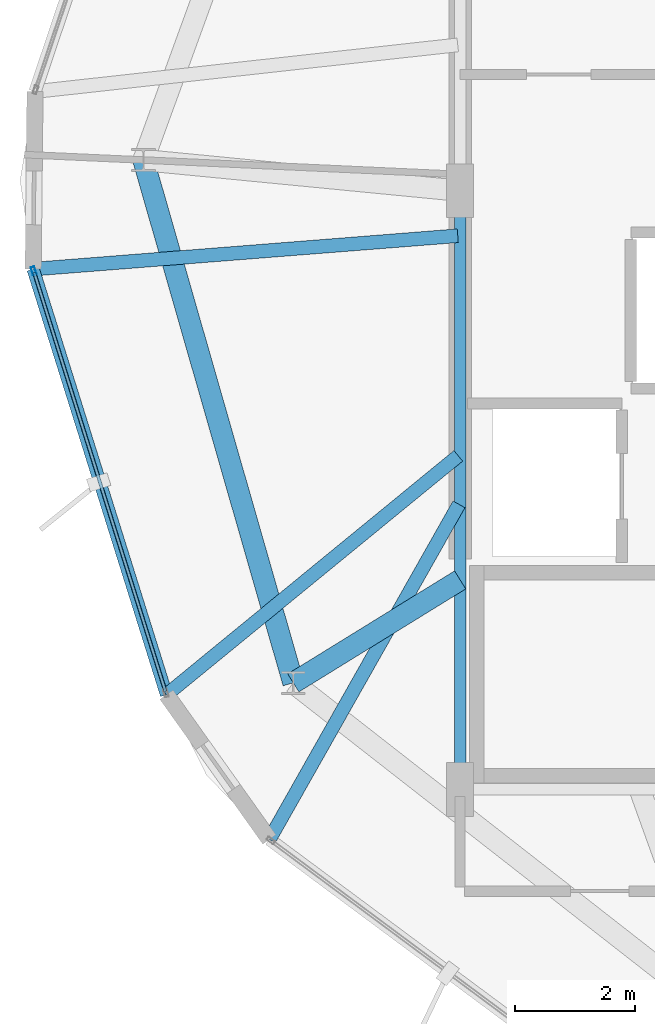
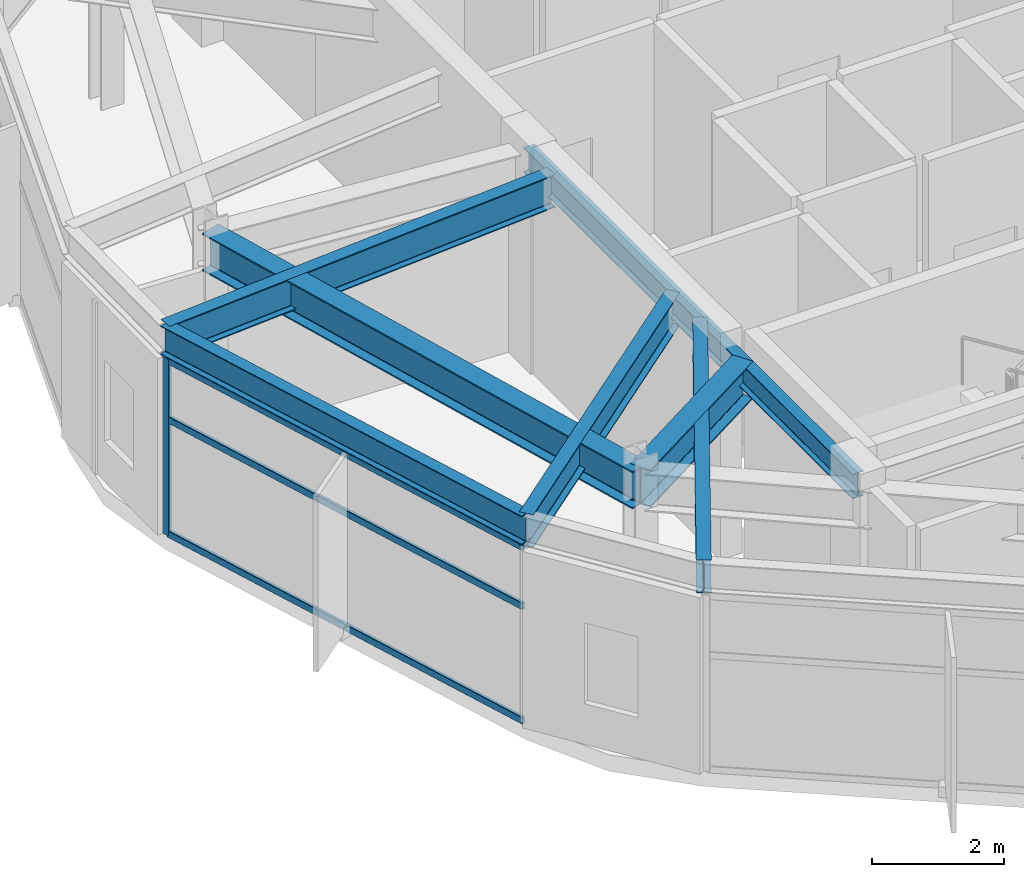
# One storey, part 3 of 19: 7 beams, 4 members, 1 element without a shape of its own.
"""IFC4 building model written with IfcOpenShell, lengths in metres."""

from ifc_helpers import new_model, si_unit, direction, frame, origin, origin_2d, place, context, subcontext, project, spatial, hollow_rectangle, i_section, extrude, material, layer, layer_set, material_profile, profile_set, type_object, element, aggregate, save


model = new_model("IFC4")

# Units and contexts
model_context = context("Model", 3, precision=1e-05, world=origin(), true_north=direction((0.0, 1.0)))
body_context = subcontext(model_context, "Body", "Model", "MODEL_VIEW")
ifc_project = project(units=[si_unit("LENGTHUNIT", "METRE"), si_unit("AREAUNIT", "SQUARE_METRE"), si_unit("VOLUMEUNIT", "CUBIC_METRE"), si_unit("PLANEANGLEUNIT", "RADIAN"), si_unit("MASSUNIT", "GRAM", prefix="KILO")], contexts=[model_context])

# Site, building, storey
site_placement = place(None, origin())
site = spatial("IfcSite", under=ifc_project, at=site_placement, CompositionType="ELEMENT")
building_placement = place(site_placement, origin())
building = spatial("IfcBuilding", under=site, at=building_placement, Name="Soratama Intermodal Tower", CompositionType="ELEMENT")
storey_placement = place(building_placement, frame((0.0, 0.0, 297.25)))
storey = spatial("IfcBuildingStorey", under=building, at=storey_placement, Name="L75", CompositionType="ELEMENT", Elevation=297.25)

# Beams
ifc_material_1 = material(Name="Structural steel ASTM A992 Grade 50", Category="steel")
ifc_material_profile_1 = material_profile(ifc_material_1, i_section(OverallWidth=0.19091796875, OverallDepth=0.4599609375, WebThickness=0.010009765625, FlangeThickness=0.01611328125, FilletRadius=0.010986328125, at=origin_2d()), Name="W18X55")
ifc_profile_set_1 = profile_set([ifc_material_profile_1], Name="Structural steel ASTM A992 Grade 50")
beam_type_1 = type_object("IfcBeamType", Name="BM-FLR-W18X55", PredefinedType="BEAM", material=ifc_profile_set_1)
beam_1_placement = place(storey_placement, frame((32.60009765625, 25.0, 3.6650390625), z_axis=(0.0, -1.0, 0.0), x_axis=(1.0, 0.0, 0.0)))
element("IfcBeam", 1, at=beam_1_placement, inside=storey, type_object=beam_type_1, Name="BM-L75-CRING-09", PredefinedType="BEAM", context=body_context, shape_type="SweptSolid", body=[
    extrude(i_section(OverallWidth=0.19091796875, OverallDepth=0.4599609375, WebThickness=0.010009765625, FlangeThickness=0.01611328125, FilletRadius=0.010986328125, at=origin_2d()), origin(), (0.0, 0.0, 1.0), 10.0),
])
ifc_material_2 = material(Name="Structural steel ASTM A992 Grade 50", Category="steel")
ifc_material_profile_2 = material_profile(ifc_material_2, i_section(OverallWidth=0.35498046875, OverallDepth=0.695068359375, WebThickness=0.015380859375, FlangeThickness=0.02490234375, FilletRadius=0.01611328125, at=origin_2d()), Name="W27X146")
ifc_profile_set_2 = profile_set([ifc_material_profile_2], Name="Structural steel ASTM A992 Grade 50")
beam_type_2 = type_object("IfcBeamType", Name="BM-RING-W27X146", PredefinedType="BEAM", material=ifc_profile_set_2)
beam_2_placement = place(storey_placement, frame((27.30908203125, 25.512939453125, 3.547607421875), z_axis=(0.275615442928, -0.961267979088, 0.0), x_axis=(0.961267979088, 0.275615442928, 0.0)))
element("IfcBeam", 2, at=beam_2_placement, inside=storey, type_object=beam_type_2, Name="BM-L75-RING-05", PredefinedType="BEAM", context=body_context, shape_type="SweptSolid", body=[
    extrude(i_section(OverallWidth=0.35498046875, OverallDepth=0.695068359375, WebThickness=0.015380859375, FlangeThickness=0.02490234375, FilletRadius=0.01611328125, at=origin_2d()), origin(), (0.0, 0.0, 1.0), 9.084716796875),
])
beam_3_placement = place(storey_placement, frame((32.60009765625, 18.5, 3.547607421875), z_axis=(-0.850999862817, -0.525165910437, 0.0), x_axis=(0.525165910437, -0.850999862817, 0.0)))
element("IfcBeam", 3, at=beam_3_placement, inside=storey, type_object=beam_type_2, Name="BM-L75-RAD-06", PredefinedType="BEAM", context=body_context, shape_type="SweptSolid", body=[
    extrude(i_section(OverallWidth=0.35498046875, OverallDepth=0.695068359375, WebThickness=0.015380859375, FlangeThickness=0.02490234375, FilletRadius=0.01611328125, at=origin_2d()), origin(), (0.0, 0.0, 1.0), 3.275146484375),
])
ifc_material_3 = material(Name="Structural steel ASTM A992 Grade 50", Category="steel")
ifc_material_profile_3 = material_profile(ifc_material_3, i_section(OverallWidth=0.2099609375, OverallDepth=0.537109375, WebThickness=0.010986328125, FlangeThickness=0.017333984375, FilletRadius=0.012939453125, at=origin_2d()), Name="W21X68")
ifc_profile_set_3 = profile_set([ifc_material_profile_3], Name="Structural steel ASTM A992 Grade 50")
beam_type_3 = type_object("IfcBeamType", Name="BM-SPN-W21X68", PredefinedType="SPANDREL", material=ifc_profile_set_3)
beam_4_placement = place(storey_placement, frame((25.467041015625, 23.69091796875, 3.62646484375), z_axis=(0.29906979492, -0.954231239148, 0.0), x_axis=(0.954231239148, 0.29906979492, 0.0)))
element("IfcBeam", 4, at=beam_4_placement, inside=storey, type_object=beam_type_3, Name="BS-L75-F04", PredefinedType="SPANDREL", context=body_context, shape_type="SweptSolid", body=[
    extrude(i_section(OverallWidth=0.2099609375, OverallDepth=0.537109375, WebThickness=0.010986328125, FlangeThickness=0.017333984375, FilletRadius=0.012939453125, at=origin_2d()), origin(), (0.0, 0.0, 1.0), 7.449951171875),
])
ifc_material_4 = material(Name="Structural steel ASTM A992 Grade 50", Category="steel")
ifc_material_profile_4 = material_profile(ifc_material_4, i_section(OverallWidth=0.22900390625, OverallDepth=0.612060546875, WebThickness=0.011962890625, FlangeThickness=0.01953125, FilletRadius=0.012939453125, at=origin_2d()), Name="W24X84")
ifc_profile_set_4 = profile_set([ifc_material_profile_4], Name="Structural steel ASTM A992 Grade 50")
beam_type_4 = type_object("IfcBeamType", Name="BM-TIE-W24X84", PredefinedType="BEAM", material=ifc_profile_set_4)
beam_5_placement = place(storey_placement, frame((32.56005859375, 24.2490234375, 3.589111328125), z_axis=(-0.996918731066, -0.078441338905, 0.0), x_axis=(0.078441338905, -0.996918731066, 0.0)))
element("IfcBeam", 5, at=beam_5_placement, inside=storey, type_object=beam_type_4, Name="BM-L75-TIE0-04", PredefinedType="BEAM", context=body_context, shape_type="SweptSolid", body=[
    extrude(i_section(OverallWidth=0.22900390625, OverallDepth=0.612060546875, WebThickness=0.011962890625, FlangeThickness=0.01953125, FilletRadius=0.012939453125, at=origin_2d()), origin(), (0.0, 0.0, 1.0), 7.114990234375),
])
beam_6_placement = place(storey_placement, frame((32.569091796875, 20.572021484375, 3.589111328125), z_axis=(-0.773789763068, -0.633442501393, 0.0), x_axis=(0.633442501393, -0.773789763068, 0.0)))
element("IfcBeam", 6, at=beam_6_placement, inside=storey, type_object=beam_type_4, Name="BM-L75-TIE1-04", PredefinedType="BEAM", context=body_context, shape_type="SweptSolid", body=[
    extrude(i_section(OverallWidth=0.22900390625, OverallDepth=0.612060546875, WebThickness=0.011962890625, FlangeThickness=0.01953125, FilletRadius=0.012939453125, at=origin_2d()), origin(), (0.0, 0.0, 1.0), 6.298828125),
])
beam_7_placement = place(storey_placement, frame((32.580078125, 19.761962890625, 3.589111328125), z_axis=(-0.492406191222, -0.870365522551, 0.0), x_axis=(0.870365522551, -0.492406191222, 0.0)))
element("IfcBeam", 7, at=beam_7_placement, inside=storey, type_object=beam_type_4, Name="BM-L75-TIE0-05", PredefinedType="BEAM", context=body_context, shape_type="SweptSolid", body=[
    extrude(i_section(OverallWidth=0.22900390625, OverallDepth=0.612060546875, WebThickness=0.011962890625, FlangeThickness=0.01953125, FilletRadius=0.012939453125, at=origin_2d()), origin(), (0.0, 0.0, 1.0), 6.431640625),
])

# Curtain wall, members
ifc_material_5 = material(Name="Double-glazed aluminium curtain wall", Category="aluminium")
ifc_layer = layer(ifc_material_5, 0.159912109375)
ifc_layer_set = layer_set([ifc_layer], Name="Double-glazed aluminium curtain wall")
curtain_wall_type = type_object("IfcCurtainWallType", Name="CW-SYS-6", PredefinedType="NOTDEFINED", material=ifc_layer_set)
curtain_wall_placement = place(storey_placement, origin())
curtain_wall = element("IfcCurtainWall", 8, at=curtain_wall_placement, inside=storey, type_object=curtain_wall_type, Name="L75 Faceted Curtain Wall F04", PredefinedType="NOTDEFINED")
ifc_material_6 = material(Name="Anodised aluminium AA 6063-T6", Category="aluminium")
ifc_material_profile_5 = material_profile(ifc_material_6, hollow_rectangle(XDim=0.06494140625, YDim=0.139892578125, WallThickness=0.0048828125, InnerFilletRadius=0.0048828125, OuterFilletRadius=0.010009765625, at=origin_2d()), Name="CWM140X65X5")
ifc_profile_set_5 = profile_set([ifc_material_profile_5], Name="Anodised aluminium AA 6063-T6")
member_type_1 = type_object("IfcMemberType", Name="MT-CWM-6", PredefinedType="MULLION", material=ifc_profile_set_5)
member_1_placement = place(storey_placement, frame((25.476318359375, 23.662109375, 0.0), z_axis=(0.0, 0.0, 1.0), x_axis=(0.954240565679, 0.299040035469, 0.0)))
member_1 = element("IfcMember", 9, at=member_1_placement, type_object=member_type_1, Name="CW-6 mullion 1", PredefinedType="MULLION", context=body_context, shape_type="SweptSolid", body=[
    extrude(hollow_rectangle(XDim=0.06494140625, YDim=0.139892578125, WallThickness=0.0048828125, InnerFilletRadius=0.0048828125, OuterFilletRadius=0.010009765625, at=origin_2d()), origin(), (0.0, 0.0, 1.0), 3.27392578125),
])
ifc_material_7 = material(Name="Anodised aluminium AA 6063-T6", Category="aluminium")
ifc_material_profile_6 = material_profile(ifc_material_7, hollow_rectangle(XDim=0.06005859375, YDim=0.1298828125, WallThickness=0.0048828125, InnerFilletRadius=0.0048828125, OuterFilletRadius=0.010009765625, at=origin_2d()), Name="CWT130X60X5")
ifc_profile_set_6 = profile_set([ifc_material_profile_6], Name="Anodised aluminium AA 6063-T6")
member_type_2 = type_object("IfcMemberType", Name="TT-CWT-2", PredefinedType="USERDEFINED", material=ifc_profile_set_6)
member_2_placement = place(storey_placement, frame((25.4853515625, 23.633544921875, 0.030029296875), z_axis=(0.299027882381, -0.95424437413, 0.0), x_axis=(0.95424437413, 0.299027882381, 0.0)))
member_2 = element("IfcMember", 10, at=member_2_placement, type_object=member_type_2, Name="CW-6 transom 1.1", ObjectType="TRANSOM", PredefinedType="USERDEFINED", context=body_context, shape_type="SweptSolid", body=[
    extrude(hollow_rectangle(XDim=0.06005859375, YDim=0.1298828125, WallThickness=0.0048828125, InnerFilletRadius=0.0048828125, OuterFilletRadius=0.010009765625, at=origin_2d()), origin(), (0.0, 0.0, 1.0), 7.329345703125),
])
member_3_placement = place(storey_placement, frame((25.4853515625, 23.633544921875, 2.14990234375), z_axis=(0.299027882381, -0.95424437413, 0.0), x_axis=(0.95424437413, 0.299027882381, 0.0)))
member_3 = element("IfcMember", 11, at=member_3_placement, type_object=member_type_2, Name="CW-6 transom 1.2", ObjectType="TRANSOM", PredefinedType="USERDEFINED", context=body_context, shape_type="SweptSolid", body=[
    extrude(hollow_rectangle(XDim=0.06005859375, YDim=0.1298828125, WallThickness=0.0048828125, InnerFilletRadius=0.0048828125, OuterFilletRadius=0.010009765625, at=origin_2d()), origin(), (0.0, 0.0, 1.0), 7.329345703125),
])
member_4_placement = place(storey_placement, frame((25.4853515625, 23.633544921875, 3.243896484375), z_axis=(0.299027882381, -0.95424437413, 0.0), x_axis=(0.95424437413, 0.299027882381, 0.0)))
member_4 = element("IfcMember", 12, at=member_4_placement, type_object=member_type_2, Name="CW-6 transom 1.3", ObjectType="TRANSOM", PredefinedType="USERDEFINED", context=body_context, shape_type="SweptSolid", body=[
    extrude(hollow_rectangle(XDim=0.06005859375, YDim=0.1298828125, WallThickness=0.0048828125, InnerFilletRadius=0.0048828125, OuterFilletRadius=0.010009765625, at=origin_2d()), origin(), (0.0, 0.0, 1.0), 7.329345703125),
])
aggregate(curtain_wall, [member_1, member_2, member_3, member_4])

save(model, "model.ifc")
